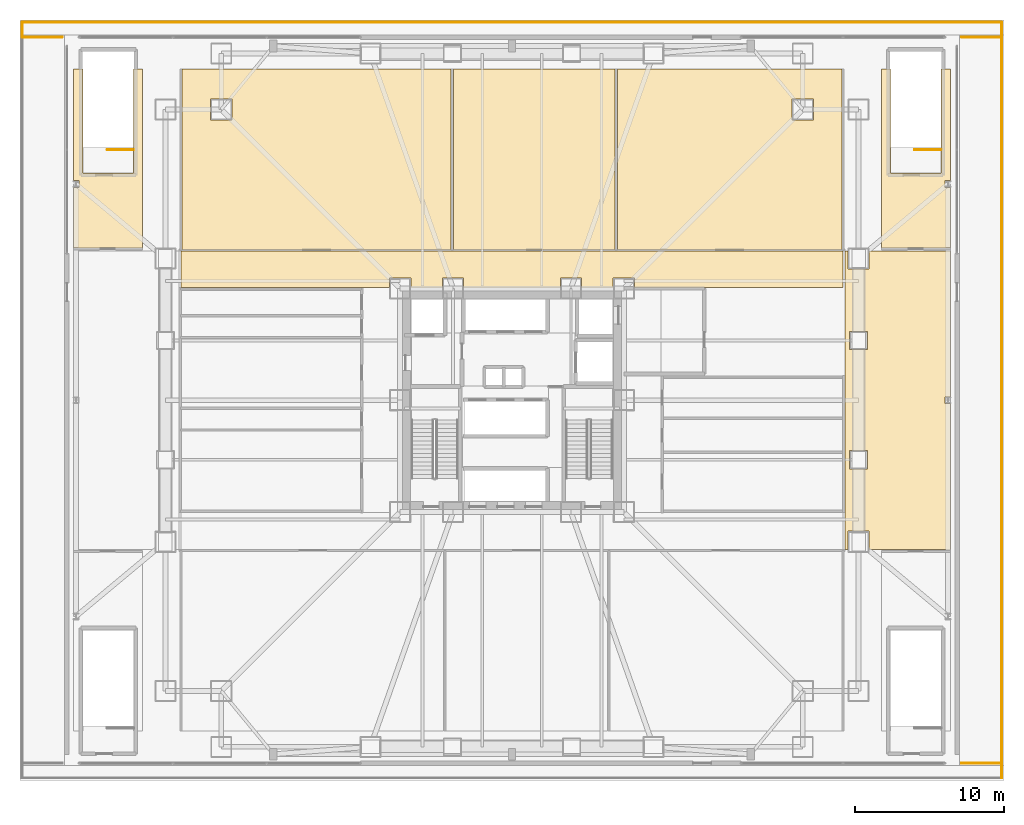
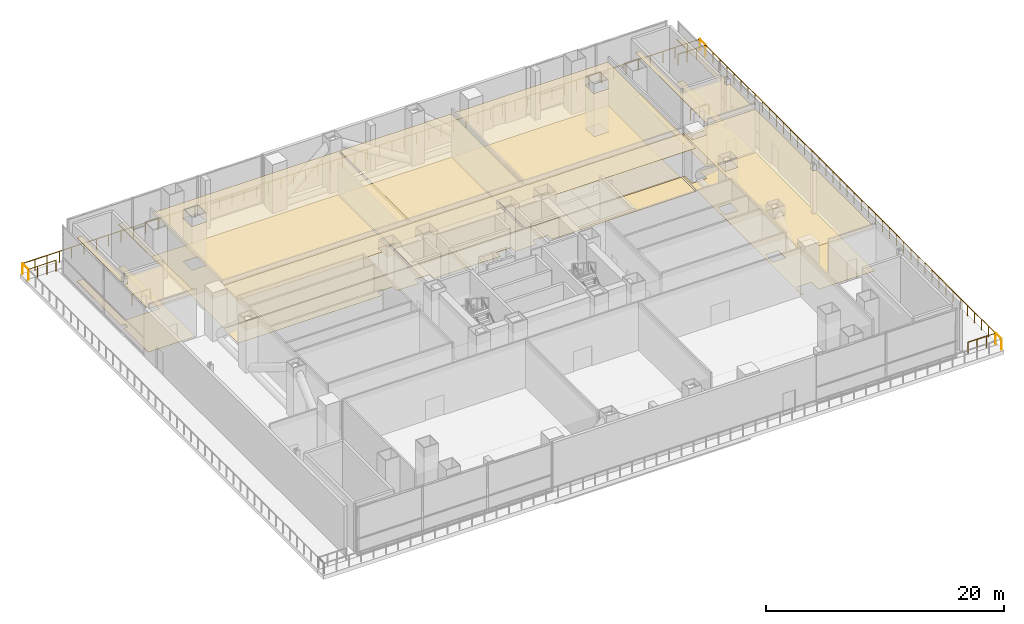
# One storey, part 21 of 21: 14 coverings, 10 railings.
"""IFC4 building model written with IfcOpenShell, lengths in metres."""

from ifc_helpers import new_model, si_unit, direction, frame, origin, origin_2d, place, context, subcontext, project, spatial, polyline, circle, outline, extrude, material, layer, layer_set, type_object, element, save


model = new_model("IFC4")

# Units and contexts
model_context = context("Model", 3, precision=1e-05, world=origin(), true_north=direction((0.0, 1.0)))
body_context = subcontext(model_context, "Body", "Model", "MODEL_VIEW")
ifc_project = project(units=[si_unit("LENGTHUNIT", "METRE"), si_unit("AREAUNIT", "SQUARE_METRE"), si_unit("VOLUMEUNIT", "CUBIC_METRE"), si_unit("PLANEANGLEUNIT", "RADIAN"), si_unit("MASSUNIT", "GRAM", prefix="KILO")], contexts=[model_context])

# Site, building, storey
site_placement = place(None, origin())
site = spatial("IfcSite", under=ifc_project, at=site_placement, CompositionType="ELEMENT")
building_placement = place(site_placement, origin())
building = spatial("IfcBuilding", under=site, at=building_placement, Name="Trevonay Congress Spire", CompositionType="ELEMENT")
storey_placement = place(building_placement, frame((0.0, 0.0, 21.60009765625)))
storey = spatial("IfcBuildingStorey", under=building, at=storey_placement, Name="L04", CompositionType="ELEMENT", Elevation=21.60009765625)

# Coverings
ifc_material_1 = material(Name="Acoustic Mineral Fibre Board", Category="gypsum")
ifc_layer_1 = layer(ifc_material_1, 0.02490234375, Name="Acoustic Mineral Fibre Board")
ifc_layer_set_1 = layer_set([ifc_layer_1], Name="Acoustic Mineral Fibre Board")
covering_type_1 = type_object("IfcCoveringType", Name="COV-CEIL-ACOUSTIC", PredefinedType="CEILING", material=ifc_layer_set_1)
covering_1_placement = place(storey_placement, frame((0.0, 0.0, 4.449951171875)))
element("IfcCovering", 1, at=covering_1_placement, inside=storey, type_object=covering_type_1, Name="L04 L04 Grand Concourse North acoustic suspended ceiling", PredefinedType="CEILING", context=body_context, shape_type="SweptSolid", body=[
    extrude(outline(polyline([(-22.199951171875, 7.550048828125), (-22.199951171875, 10.0), (22.199951171875, 10.0), (22.199951171875, 7.550048828125), (8.2099609375, 7.550048828125), (8.2099609375, 8.2099609375), (6.7900390625, 8.2099609375), (6.7900390625, 7.550048828125), (4.659912109375, 7.550048828125), (4.659912109375, 8.2099609375), (3.239990234375, 8.2099609375), (3.239990234375, 7.550048828125), (-3.239990234375, 7.550048828125), (-3.239990234375, 8.2099609375), (-4.659912109375, 8.2099609375), (-4.659912109375, 7.550048828125), (-6.7900390625, 7.550048828125), (-6.7900390625, 8.2099609375), (-8.2099609375, 8.2099609375), (-8.2099609375, 7.550048828125), (-22.199951171875, 7.550048828125)])), origin(), (0.0, 0.0, 1.0), 0.02490234375),
])
covering_2_placement = place(storey_placement, frame((0.0, 0.0, 4.449951171875)))
element("IfcCovering", 2, at=covering_2_placement, inside=storey, type_object=covering_type_1, Name="L04 International Media Briefing Room acoustic suspended ceiling", PredefinedType="CEILING", context=body_context, shape_type="SweptSolid", body=[
    extrude(outline(polyline([(-22.1201171875, 22.199951171875), (-4.080078125, 22.199951171875), (-4.080078125, 10.080078125), (-22.1201171875, 10.080078125), (-22.1201171875, 22.199951171875)]), holes=[polyline([(-18.7900390625, 18.7900390625), (-18.7900390625, 20.2099609375), (-20.2099609375, 20.2099609375), (-20.2099609375, 18.7900390625), (-18.7900390625, 18.7900390625)])]), origin(), (0.0, 0.0, 1.0), 0.02490234375),
])
covering_3_placement = place(storey_placement, frame((0.0, 0.0, 4.449951171875)))
element("IfcCovering", 3, at=covering_3_placement, inside=storey, type_object=covering_type_1, Name="L04 Press Filing Studio acoustic suspended ceiling", PredefinedType="CEILING", context=body_context, shape_type="SweptSolid", body=[
    extrude(outline(polyline([(-3.919921875, 10.080078125), (6.919921875, 10.080078125), (6.919921875, 22.199951171875), (-3.919921875, 22.199951171875), (-3.919921875, 10.080078125)])), origin(), (0.0, 0.0, 1.0), 0.02490234375),
])
covering_4_placement = place(storey_placement, frame((0.0, 0.0, 4.449951171875)))
element("IfcCovering", 4, at=covering_4_placement, inside=storey, type_object=covering_type_1, Name="L04 Broadcast Interview Room acoustic suspended ceiling", PredefinedType="CEILING", context=body_context, shape_type="SweptSolid", body=[
    extrude(outline(polyline([(7.080078125, 22.199951171875), (22.1201171875, 22.199951171875), (22.1201171875, 10.080078125), (7.080078125, 10.080078125), (7.080078125, 22.199951171875)]), holes=[polyline([(20.2099609375, 18.7900390625), (20.2099609375, 20.2099609375), (18.7900390625, 20.2099609375), (18.7900390625, 18.7900390625), (20.2099609375, 18.7900390625)])]), origin(), (0.0, 0.0, 1.0), 0.02490234375),
])
covering_5_placement = place(storey_placement, frame((0.0, 0.0, 4.449951171875)))
element("IfcCovering", 5, at=covering_5_placement, inside=storey, type_object=covering_type_1, Name="L04 West Terrace Seminar Suite 2 acoustic suspended ceiling", PredefinedType="CEILING", context=body_context, shape_type="SweptSolid", body=[
    extrude(outline(polyline([(-28.760009765625, 22.199951171875), (-28.760009765625, 15.239990234375), (-25.389892578125, 15.239990234375), (-25.389892578125, 22.199951171875), (-24.800048828125, 22.199951171875), (-24.800048828125, 10.199951171875), (-29.39990234375, 10.199951171875), (-29.39990234375, 14.277587890625), (-29.055908203125, 14.277587890625), (-29.055908203125, 14.722412109375), (-29.39990234375, 14.722412109375), (-29.39990234375, 22.199951171875), (-28.760009765625, 22.199951171875)])), origin(), (0.0, 0.0, 1.0), 0.02490234375),
])
covering_6_placement = place(storey_placement, frame((0.0, 0.0, 4.449951171875)))
element("IfcCovering", 6, at=covering_6_placement, inside=storey, type_object=covering_type_1, Name="L04 East Terrace Boardroom acoustic suspended ceiling", PredefinedType="CEILING", context=body_context, shape_type="SweptSolid", body=[
    extrude(outline(polyline([(24.800048828125, 10.199951171875), (24.800048828125, 22.199951171875), (25.389892578125, 22.199951171875), (25.389892578125, 15.239990234375), (28.760009765625, 15.239990234375), (28.760009765625, 22.199951171875), (29.39990234375, 22.199951171875), (29.39990234375, 14.722412109375), (29.055908203125, 14.722412109375), (29.055908203125, 14.277587890625), (29.39990234375, 14.277587890625), (29.39990234375, 10.199951171875), (24.800048828125, 10.199951171875)])), origin(), (0.0, 0.0, 1.0), 0.02490234375),
])
covering_7_placement = place(storey_placement, frame((0.0, 0.0, 4.449951171875)))
element("IfcCovering", 7, at=covering_7_placement, inside=storey, type_object=covering_type_1, Name="L04 L04 East Gallery Link acoustic suspended ceiling", PredefinedType="CEILING", context=body_context, shape_type="SweptSolid", body=[
    extrude(outline(polyline([(22.35009765625, -10.0), (22.35009765625, 10.0), (22.5400390625, 10.0), (22.5400390625, 8.7900390625), (23.9599609375, 8.7900390625), (23.9599609375, 10.0), (29.39990234375, 10.0), (29.39990234375, 0.222412109375), (29.055908203125, 0.222412109375), (29.055908203125, -0.222412109375), (29.39990234375, -0.222412109375), (29.39990234375, -10.0), (23.9599609375, -10.0), (23.9599609375, -8.7900390625), (22.5400390625, -8.7900390625), (22.5400390625, -10.0), (22.35009765625, -10.0)]), holes=[polyline([(22.639892578125, -3.389892578125), (22.639892578125, -4.610107421875), (23.860107421875, -4.610107421875), (23.860107421875, -3.389892578125), (22.639892578125, -3.389892578125)]), polyline([(23.860107421875, 4.610107421875), (22.639892578125, 4.610107421875), (22.639892578125, 3.389892578125), (23.860107421875, 3.389892578125), (23.860107421875, 4.610107421875)])]), origin(), (0.0, 0.0, 1.0), 0.02490234375),
])
ifc_material_2 = material(Name="Polished Granite Floor Tile", Category="masonry")
ifc_layer_2 = layer(ifc_material_2, 0.02001953125, Name="Polished Granite Floor Tile")
ifc_layer_set_2 = layer_set([ifc_layer_2], Name="Polished Granite Floor Tile")
covering_type_2 = type_object("IfcCoveringType", Name="COV-FLOOR-STONE", PredefinedType="FLOORING", material=ifc_layer_set_2)
covering_8_placement = place(storey_placement, origin())
element("IfcCovering", 8, at=covering_8_placement, inside=storey, type_object=covering_type_2, Name="L04 L04 Grand Concourse North floor finish", PredefinedType="FLOORING", context=body_context, shape_type="SweptSolid", body=[
    extrude(outline(polyline([(-22.199951171875, 7.550048828125), (-22.199951171875, 10.0), (22.199951171875, 10.0), (22.199951171875, 7.550048828125), (8.2099609375, 7.550048828125), (8.2099609375, 8.2099609375), (6.7900390625, 8.2099609375), (6.7900390625, 7.550048828125), (4.659912109375, 7.550048828125), (4.659912109375, 8.2099609375), (3.239990234375, 8.2099609375), (3.239990234375, 7.550048828125), (-3.239990234375, 7.550048828125), (-3.239990234375, 8.2099609375), (-4.659912109375, 8.2099609375), (-4.659912109375, 7.550048828125), (-6.7900390625, 7.550048828125), (-6.7900390625, 8.2099609375), (-8.2099609375, 8.2099609375), (-8.2099609375, 7.550048828125), (-22.199951171875, 7.550048828125)])), origin(), (0.0, 0.0, 1.0), 0.02001953125),
])
covering_9_placement = place(storey_placement, origin())
element("IfcCovering", 9, at=covering_9_placement, inside=storey, type_object=covering_type_2, Name="L04 L04 East Gallery Link floor finish", PredefinedType="FLOORING", context=body_context, shape_type="SweptSolid", body=[
    extrude(outline(polyline([(22.35009765625, -10.0), (22.35009765625, 10.0), (22.5400390625, 10.0), (22.5400390625, 8.7900390625), (23.9599609375, 8.7900390625), (23.9599609375, 10.0), (29.39990234375, 10.0), (29.39990234375, 0.222412109375), (29.055908203125, 0.222412109375), (29.055908203125, -0.222412109375), (29.39990234375, -0.222412109375), (29.39990234375, -10.0), (23.9599609375, -10.0), (23.9599609375, -8.7900390625), (22.5400390625, -8.7900390625), (22.5400390625, -10.0), (22.35009765625, -10.0)]), holes=[polyline([(22.639892578125, -3.389892578125), (22.639892578125, -4.610107421875), (23.860107421875, -4.610107421875), (23.860107421875, -3.389892578125), (22.639892578125, -3.389892578125)]), polyline([(23.860107421875, 4.610107421875), (22.639892578125, 4.610107421875), (22.639892578125, 3.389892578125), (23.860107421875, 3.389892578125), (23.860107421875, 4.610107421875)])]), origin(), (0.0, 0.0, 1.0), 0.02001953125),
])
ifc_material_3 = material(Name="Engineered Oak Flooring", Category="wood")
ifc_layer_3 = layer(ifc_material_3, 0.01806640625, Name="Engineered Oak Flooring")
ifc_layer_set_3 = layer_set([ifc_layer_3], Name="Engineered Oak Flooring")
covering_type_3 = type_object("IfcCoveringType", Name="COV-FLOOR-TIMBER", PredefinedType="FLOORING", material=ifc_layer_set_3)
covering_10_placement = place(storey_placement, origin())
element("IfcCovering", 10, at=covering_10_placement, inside=storey, type_object=covering_type_3, Name="L04 International Media Briefing Room floor finish", PredefinedType="FLOORING", context=body_context, shape_type="SweptSolid", body=[
    extrude(outline(polyline([(-22.1201171875, 22.199951171875), (-4.080078125, 22.199951171875), (-4.080078125, 10.080078125), (-22.1201171875, 10.080078125), (-22.1201171875, 22.199951171875)]), holes=[polyline([(-18.7900390625, 18.7900390625), (-18.7900390625, 20.2099609375), (-20.2099609375, 20.2099609375), (-20.2099609375, 18.7900390625), (-18.7900390625, 18.7900390625)])]), origin(), (0.0, 0.0, 1.0), 0.017822265625),
])
covering_11_placement = place(storey_placement, origin())
element("IfcCovering", 11, at=covering_11_placement, inside=storey, type_object=covering_type_3, Name="L04 Press Filing Studio floor finish", PredefinedType="FLOORING", context=body_context, shape_type="SweptSolid", body=[
    extrude(outline(polyline([(-3.919921875, 10.080078125), (6.919921875, 10.080078125), (6.919921875, 22.199951171875), (-3.919921875, 22.199951171875), (-3.919921875, 10.080078125)])), origin(), (0.0, 0.0, 1.0), 0.017822265625),
])
covering_12_placement = place(storey_placement, origin())
element("IfcCovering", 12, at=covering_12_placement, inside=storey, type_object=covering_type_3, Name="L04 Broadcast Interview Room floor finish", PredefinedType="FLOORING", context=body_context, shape_type="SweptSolid", body=[
    extrude(outline(polyline([(7.080078125, 22.199951171875), (22.1201171875, 22.199951171875), (22.1201171875, 10.080078125), (7.080078125, 10.080078125), (7.080078125, 22.199951171875)]), holes=[polyline([(20.2099609375, 18.7900390625), (20.2099609375, 20.2099609375), (18.7900390625, 20.2099609375), (18.7900390625, 18.7900390625), (20.2099609375, 18.7900390625)])]), origin(), (0.0, 0.0, 1.0), 0.017822265625),
])
covering_13_placement = place(storey_placement, origin())
element("IfcCovering", 13, at=covering_13_placement, inside=storey, type_object=covering_type_3, Name="L04 West Terrace Seminar Suite 2 floor finish", PredefinedType="FLOORING", context=body_context, shape_type="SweptSolid", body=[
    extrude(outline(polyline([(-28.760009765625, 22.199951171875), (-28.760009765625, 15.239990234375), (-25.389892578125, 15.239990234375), (-25.389892578125, 22.199951171875), (-24.800048828125, 22.199951171875), (-24.800048828125, 10.199951171875), (-29.39990234375, 10.199951171875), (-29.39990234375, 14.277587890625), (-29.055908203125, 14.277587890625), (-29.055908203125, 14.722412109375), (-29.39990234375, 14.722412109375), (-29.39990234375, 22.199951171875), (-28.760009765625, 22.199951171875)])), origin(), (0.0, 0.0, 1.0), 0.017822265625),
])
covering_14_placement = place(storey_placement, origin())
element("IfcCovering", 14, at=covering_14_placement, inside=storey, type_object=covering_type_3, Name="L04 East Terrace Boardroom floor finish", PredefinedType="FLOORING", context=body_context, shape_type="SweptSolid", body=[
    extrude(outline(polyline([(24.800048828125, 10.199951171875), (24.800048828125, 22.199951171875), (25.389892578125, 22.199951171875), (25.389892578125, 15.239990234375), (28.760009765625, 15.239990234375), (28.760009765625, 22.199951171875), (29.39990234375, 22.199951171875), (29.39990234375, 14.722412109375), (29.055908203125, 14.722412109375), (29.055908203125, 14.277587890625), (29.39990234375, 14.277587890625), (29.39990234375, 10.199951171875), (24.800048828125, 10.199951171875)])), origin(), (0.0, 0.0, 1.0), 0.017822265625),
])

# Railings
ifc_material_4 = material(Name="Pale Anodised Aluminium EN AW-6063-T6", Category="aluminium")
railing_type_1 = type_object("IfcRailingType", Name="RAL-EXT-GUARD-115", PredefinedType="GUARDRAIL", material=ifc_material_4)
railing_1_placement = place(storey_placement, frame((-30.14990234375, 24.35009765625, 0.0)))
element("IfcRailing", 15, at=railing_1_placement, inside=storey, type_object=railing_type_1, Name="L04 perimeter safety guard GRD-L04-TER-W-3", PredefinedType="GUARDRAIL", context=body_context, shape_type="SweptSolid", body=[
    extrude(circle(Radius=0.02392578125, at=origin_2d()), frame((0.0, 0.0, 1.1259765625), z_axis=(-1.0, 0.0, 0.0), x_axis=(0.0, -1.0, 0.0)), (0.0, 0.0, 1.0), 2.7001953125),
    extrude(circle(Radius=0.02099609375, at=origin_2d()), origin(), (0.0, 0.0, 1.0), 1.101806640625),
    extrude(circle(Radius=0.02099609375, at=origin_2d()), frame((-0.900146484375, 0.0, 0.0)), (0.0, 0.0, 1.0), 1.101806640625),
    extrude(circle(Radius=0.02099609375, at=origin_2d()), frame((-1.800048828125, 0.0, 0.0)), (0.0, 0.0, 1.0), 1.101806640625),
    extrude(circle(Radius=0.02099609375, at=origin_2d()), frame((-2.7001953125, 0.0, 0.0)), (0.0, 0.0, 1.0), 1.101806640625),
])
railing_2_placement = place(storey_placement, frame((30.14990234375, -24.35009765625, 0.0)))
element("IfcRailing", 16, at=railing_2_placement, inside=storey, type_object=railing_type_1, Name="L04 perimeter safety guard GRD-L04-TER-E-1", PredefinedType="GUARDRAIL", context=body_context, shape_type="SweptSolid", body=[
    extrude(circle(Radius=0.02392578125, at=origin_2d()), frame((0.0, 0.0, 1.1259765625), z_axis=(1.0, 0.0, 0.0), x_axis=(0.0, 1.0, 0.0)), (0.0, 0.0, 1.0), 2.7001953125),
    extrude(circle(Radius=0.02099609375, at=origin_2d()), origin(), (0.0, 0.0, 1.0), 1.101806640625),
    extrude(circle(Radius=0.02099609375, at=origin_2d()), frame((0.900146484375, 0.0, 0.0)), (0.0, 0.0, 1.0), 1.101806640625),
    extrude(circle(Radius=0.02099609375, at=origin_2d()), frame((1.800048828125, 0.0, 0.0)), (0.0, 0.0, 1.0), 1.101806640625),
    extrude(circle(Radius=0.02099609375, at=origin_2d()), frame((2.7001953125, 0.0, 0.0)), (0.0, 0.0, 1.0), 1.101806640625),
])
railing_3_placement = place(storey_placement, frame((32.85009765625, -24.35009765625, 0.0)))
element("IfcRailing", 17, at=railing_3_placement, inside=storey, type_object=railing_type_1, Name="L04 perimeter safety guard GRD-L04-TER-E-2", PredefinedType="GUARDRAIL", context=body_context, shape_type="SweptSolid", body=[
    extrude(circle(Radius=0.02392578125, at=origin_2d()), frame((0.0, 0.0, 1.1259765625), z_axis=(0.0, 1.0, 0.0), x_axis=(-1.0, 0.0, 0.0)), (0.0, 0.0, 1.0), 48.7001953125),
    extrude(circle(Radius=0.02099609375, at=origin_2d()), origin(), (0.0, 0.0, 1.0), 1.101806640625),
    extrude(circle(Radius=0.02099609375, at=origin_2d()), frame((0.0, 1.187744140625, 0.0)), (0.0, 0.0, 1.0), 1.101806640625),
    extrude(circle(Radius=0.02099609375, at=origin_2d()), frame((0.0, 2.375732421875, 0.0)), (0.0, 0.0, 1.0), 1.101806640625),
    extrude(circle(Radius=0.02099609375, at=origin_2d()), frame((0.0, 3.5634765625, 0.0)), (0.0, 0.0, 1.0), 1.101806640625),
    extrude(circle(Radius=0.02099609375, at=origin_2d()), frame((0.0, 4.751220703125, 0.0)), (0.0, 0.0, 1.0), 1.101806640625),
    extrude(circle(Radius=0.02099609375, at=origin_2d()), frame((0.0, 5.93896484375, 0.0)), (0.0, 0.0, 1.0), 1.101806640625),
    extrude(circle(Radius=0.02099609375, at=origin_2d()), frame((0.0, 7.126953125, 0.0)), (0.0, 0.0, 1.0), 1.101806640625),
    extrude(circle(Radius=0.02099609375, at=origin_2d()), frame((0.0, 8.314697265625, 0.0)), (0.0, 0.0, 1.0), 1.101806640625),
    extrude(circle(Radius=0.02099609375, at=origin_2d()), frame((0.0, 9.50244140625, 0.0)), (0.0, 0.0, 1.0), 1.101806640625),
    extrude(circle(Radius=0.02099609375, at=origin_2d()), frame((0.0, 10.690185546875, 0.0)), (0.0, 0.0, 1.0), 1.101806640625),
    extrude(circle(Radius=0.02099609375, at=origin_2d()), frame((0.0, 11.878173828125, 0.0)), (0.0, 0.0, 1.0), 1.101806640625),
    extrude(circle(Radius=0.02099609375, at=origin_2d()), frame((0.0, 13.06591796875, 0.0)), (0.0, 0.0, 1.0), 1.101806640625),
    extrude(circle(Radius=0.02099609375, at=origin_2d()), frame((0.0, 14.253662109375, 0.0)), (0.0, 0.0, 1.0), 1.101806640625),
    extrude(circle(Radius=0.02099609375, at=origin_2d()), frame((0.0, 15.44140625, 0.0)), (0.0, 0.0, 1.0), 1.101806640625),
    extrude(circle(Radius=0.02099609375, at=origin_2d()), frame((0.0, 16.62939453125, 0.0)), (0.0, 0.0, 1.0), 1.101806640625),
    extrude(circle(Radius=0.02099609375, at=origin_2d()), frame((0.0, 17.817138671875, 0.0)), (0.0, 0.0, 1.0), 1.101806640625),
    extrude(circle(Radius=0.02099609375, at=origin_2d()), frame((0.0, 19.0048828125, 0.0)), (0.0, 0.0, 1.0), 1.101806640625),
    extrude(circle(Radius=0.02099609375, at=origin_2d()), frame((0.0, 20.19287109375, 0.0)), (0.0, 0.0, 1.0), 1.101806640625),
    extrude(circle(Radius=0.02099609375, at=origin_2d()), frame((0.0, 21.380615234375, 0.0)), (0.0, 0.0, 1.0), 1.101806640625),
    extrude(circle(Radius=0.02099609375, at=origin_2d()), frame((0.0, 22.568359375, 0.0)), (0.0, 0.0, 1.0), 1.101806640625),
    extrude(circle(Radius=0.02099609375, at=origin_2d()), frame((0.0, 23.756103515625, 0.0)), (0.0, 0.0, 1.0), 1.101806640625),
    extrude(circle(Radius=0.02099609375, at=origin_2d()), frame((0.0, 24.944091796875, 0.0)), (0.0, 0.0, 1.0), 1.101806640625),
    extrude(circle(Radius=0.02099609375, at=origin_2d()), frame((0.0, 26.1318359375, 0.0)), (0.0, 0.0, 1.0), 1.101806640625),
    extrude(circle(Radius=0.02099609375, at=origin_2d()), frame((0.0, 27.319580078125, 0.0)), (0.0, 0.0, 1.0), 1.101806640625),
    extrude(circle(Radius=0.02099609375, at=origin_2d()), frame((0.0, 28.50732421875, 0.0)), (0.0, 0.0, 1.0), 1.101806640625),
    extrude(circle(Radius=0.02099609375, at=origin_2d()), frame((0.0, 29.6953125, 0.0)), (0.0, 0.0, 1.0), 1.101806640625),
    extrude(circle(Radius=0.02099609375, at=origin_2d()), frame((0.0, 30.883056640625, 0.0)), (0.0, 0.0, 1.0), 1.101806640625),
    extrude(circle(Radius=0.02099609375, at=origin_2d()), frame((0.0, 32.07080078125, 0.0)), (0.0, 0.0, 1.0), 1.101806640625),
    extrude(circle(Radius=0.02099609375, at=origin_2d()), frame((0.0, 33.2587890625, 0.0)), (0.0, 0.0, 1.0), 1.101806640625),
    extrude(circle(Radius=0.02099609375, at=origin_2d()), frame((0.0, 34.446533203125, 0.0)), (0.0, 0.0, 1.0), 1.101806640625),
    extrude(circle(Radius=0.02099609375, at=origin_2d()), frame((0.0, 35.63427734375, 0.0)), (0.0, 0.0, 1.0), 1.101806640625),
    extrude(circle(Radius=0.02099609375, at=origin_2d()), frame((0.0, 36.822021484375, 0.0)), (0.0, 0.0, 1.0), 1.101806640625),
    extrude(circle(Radius=0.02099609375, at=origin_2d()), frame((0.0, 38.010009765625, 0.0)), (0.0, 0.0, 1.0), 1.101806640625),
    extrude(circle(Radius=0.02099609375, at=origin_2d()), frame((0.0, 39.19775390625, 0.0)), (0.0, 0.0, 1.0), 1.101806640625),
    extrude(circle(Radius=0.02099609375, at=origin_2d()), frame((0.0, 40.385498046875, 0.0)), (0.0, 0.0, 1.0), 1.101806640625),
    extrude(circle(Radius=0.02099609375, at=origin_2d()), frame((0.0, 41.5732421875, 0.0)), (0.0, 0.0, 1.0), 1.101806640625),
    extrude(circle(Radius=0.02099609375, at=origin_2d()), frame((0.0, 42.76123046875, 0.0)), (0.0, 0.0, 1.0), 1.101806640625),
    extrude(circle(Radius=0.02099609375, at=origin_2d()), frame((0.0, 43.948974609375, 0.0)), (0.0, 0.0, 1.0), 1.101806640625),
    extrude(circle(Radius=0.02099609375, at=origin_2d()), frame((0.0, 45.13671875, 0.0)), (0.0, 0.0, 1.0), 1.101806640625),
    extrude(circle(Radius=0.02099609375, at=origin_2d()), frame((0.0, 46.324462890625, 0.0)), (0.0, 0.0, 1.0), 1.101806640625),
    extrude(circle(Radius=0.02099609375, at=origin_2d()), frame((0.0, 47.512451171875, 0.0)), (0.0, 0.0, 1.0), 1.101806640625),
    extrude(circle(Radius=0.02099609375, at=origin_2d()), frame((0.0, 48.7001953125, 0.0)), (0.0, 0.0, 1.0), 1.101806640625),
])
railing_4_placement = place(storey_placement, frame((32.85009765625, 24.35009765625, 0.0)))
element("IfcRailing", 18, at=railing_4_placement, inside=storey, type_object=railing_type_1, Name="L04 perimeter safety guard GRD-L04-TER-E-3", PredefinedType="GUARDRAIL", context=body_context, shape_type="SweptSolid", body=[
    extrude(circle(Radius=0.02392578125, at=origin_2d()), frame((0.0, 0.0, 1.1259765625), z_axis=(-1.0, 0.0, 0.0), x_axis=(0.0, -1.0, 0.0)), (0.0, 0.0, 1.0), 2.7001953125),
    extrude(circle(Radius=0.02099609375, at=origin_2d()), origin(), (0.0, 0.0, 1.0), 1.101806640625),
    extrude(circle(Radius=0.02099609375, at=origin_2d()), frame((-0.900146484375, 0.0, 0.0)), (0.0, 0.0, 1.0), 1.101806640625),
    extrude(circle(Radius=0.02099609375, at=origin_2d()), frame((-1.800048828125, 0.0, 0.0)), (0.0, 0.0, 1.0), 1.101806640625),
    extrude(circle(Radius=0.02099609375, at=origin_2d()), frame((-2.7001953125, 0.0, 0.0)), (0.0, 0.0, 1.0), 1.101806640625),
])
for number, where, name in (
    (19, (32.85009765625, -25.35009765625, 0.0), "L04 perimeter safety guard GRD-L04-TER-S-3"),
    (20, (-32.85009765625, 24.35009765625, 0.0), "L04 perimeter safety guard GRD-L04-TER-N-1"),
):
    element("IfcRailing", number, at=place(storey_placement, frame(where)), inside=storey, type_object=railing_type_1, Name=name, PredefinedType="GUARDRAIL", context=body_context, shape_type="SweptSolid", body=[
        extrude(circle(Radius=0.02392578125, at=origin_2d()), frame((0.0, 0.0, 1.1259765625), z_axis=(0.0, 1.0, 0.0), x_axis=(-1.0, 0.0, 0.0)), (0.0, 0.0, 1.0), 1.0),
        extrude(circle(Radius=0.02099609375, at=origin_2d()), origin(), (0.0, 0.0, 1.0), 1.101806640625),
        extrude(circle(Radius=0.02099609375, at=origin_2d()), frame((0.0, 1.0, 0.0)), (0.0, 0.0, 1.0), 1.101806640625),
    ])
railing_5_placement = place(storey_placement, frame((-32.85009765625, 25.35009765625, 0.0)))
element("IfcRailing", 21, at=railing_5_placement, inside=storey, type_object=railing_type_1, Name="L04 perimeter safety guard GRD-L04-TER-N-2", PredefinedType="GUARDRAIL", context=body_context, shape_type="SweptSolid", body=[
    extrude(circle(Radius=0.02392578125, at=origin_2d()), frame((0.0, 0.0, 1.1259765625), z_axis=(1.0, 0.0, 0.0), x_axis=(0.0, 1.0, 0.0)), (0.0, 0.0, 1.0), 65.7001953125),
    extrude(circle(Radius=0.02099609375, at=origin_2d()), origin(), (0.0, 0.0, 1.0), 1.101806640625),
    extrude(circle(Radius=0.02099609375, at=origin_2d()), frame((1.194580078125, 0.0, 0.0)), (0.0, 0.0, 1.0), 1.101806640625),
    extrude(circle(Radius=0.02099609375, at=origin_2d()), frame((2.38916015625, 0.0, 0.0)), (0.0, 0.0, 1.0), 1.101806640625),
    extrude(circle(Radius=0.02099609375, at=origin_2d()), frame((3.583740234375, 0.0, 0.0)), (0.0, 0.0, 1.0), 1.101806640625),
    extrude(circle(Radius=0.02099609375, at=origin_2d()), frame((4.778076171875, 0.0, 0.0)), (0.0, 0.0, 1.0), 1.101806640625),
    extrude(circle(Radius=0.02099609375, at=origin_2d()), frame((5.97265625, 0.0, 0.0)), (0.0, 0.0, 1.0), 1.101806640625),
    extrude(circle(Radius=0.02099609375, at=origin_2d()), frame((7.167236328125, 0.0, 0.0)), (0.0, 0.0, 1.0), 1.101806640625),
    extrude(circle(Radius=0.02099609375, at=origin_2d()), frame((8.36181640625, 0.0, 0.0)), (0.0, 0.0, 1.0), 1.101806640625),
    extrude(circle(Radius=0.02099609375, at=origin_2d()), frame((9.556396484375, 0.0, 0.0)), (0.0, 0.0, 1.0), 1.101806640625),
    extrude(circle(Radius=0.02099609375, at=origin_2d()), frame((10.7509765625, 0.0, 0.0)), (0.0, 0.0, 1.0), 1.101806640625),
    extrude(circle(Radius=0.02099609375, at=origin_2d()), frame((11.945556640625, 0.0, 0.0)), (0.0, 0.0, 1.0), 1.101806640625),
    extrude(circle(Radius=0.02099609375, at=origin_2d()), frame((13.14013671875, 0.0, 0.0)), (0.0, 0.0, 1.0), 1.101806640625),
    extrude(circle(Radius=0.02099609375, at=origin_2d()), frame((14.33447265625, 0.0, 0.0)), (0.0, 0.0, 1.0), 1.101806640625),
    extrude(circle(Radius=0.02099609375, at=origin_2d()), frame((15.529052734375, 0.0, 0.0)), (0.0, 0.0, 1.0), 1.101806640625),
    extrude(circle(Radius=0.02099609375, at=origin_2d()), frame((16.7236328125, 0.0, 0.0)), (0.0, 0.0, 1.0), 1.101806640625),
    extrude(circle(Radius=0.02099609375, at=origin_2d()), frame((17.918212890625, 0.0, 0.0)), (0.0, 0.0, 1.0), 1.101806640625),
    extrude(circle(Radius=0.02099609375, at=origin_2d()), frame((19.11279296875, 0.0, 0.0)), (0.0, 0.0, 1.0), 1.101806640625),
    extrude(circle(Radius=0.02099609375, at=origin_2d()), frame((20.307373046875, 0.0, 0.0)), (0.0, 0.0, 1.0), 1.101806640625),
    extrude(circle(Radius=0.02099609375, at=origin_2d()), frame((21.501953125, 0.0, 0.0)), (0.0, 0.0, 1.0), 1.101806640625),
    extrude(circle(Radius=0.02099609375, at=origin_2d()), frame((22.696533203125, 0.0, 0.0)), (0.0, 0.0, 1.0), 1.101806640625),
    extrude(circle(Radius=0.02099609375, at=origin_2d()), frame((23.890869140625, 0.0, 0.0)), (0.0, 0.0, 1.0), 1.101806640625),
    extrude(circle(Radius=0.02099609375, at=origin_2d()), frame((25.08544921875, 0.0, 0.0)), (0.0, 0.0, 1.0), 1.101806640625),
    extrude(circle(Radius=0.02099609375, at=origin_2d()), frame((26.280029296875, 0.0, 0.0)), (0.0, 0.0, 1.0), 1.101806640625),
    extrude(circle(Radius=0.02099609375, at=origin_2d()), frame((27.474609375, 0.0, 0.0)), (0.0, 0.0, 1.0), 1.101806640625),
    extrude(circle(Radius=0.02099609375, at=origin_2d()), frame((28.669189453125, 0.0, 0.0)), (0.0, 0.0, 1.0), 1.101806640625),
    extrude(circle(Radius=0.02099609375, at=origin_2d()), frame((29.86376953125, 0.0, 0.0)), (0.0, 0.0, 1.0), 1.101806640625),
    extrude(circle(Radius=0.02099609375, at=origin_2d()), frame((31.058349609375, 0.0, 0.0)), (0.0, 0.0, 1.0), 1.101806640625),
    extrude(circle(Radius=0.02099609375, at=origin_2d()), frame((32.2529296875, 0.0, 0.0)), (0.0, 0.0, 1.0), 1.101806640625),
    extrude(circle(Radius=0.02099609375, at=origin_2d()), frame((33.447265625, 0.0, 0.0)), (0.0, 0.0, 1.0), 1.101806640625),
    extrude(circle(Radius=0.02099609375, at=origin_2d()), frame((34.641845703125, 0.0, 0.0)), (0.0, 0.0, 1.0), 1.101806640625),
    extrude(circle(Radius=0.02099609375, at=origin_2d()), frame((35.83642578125, 0.0, 0.0)), (0.0, 0.0, 1.0), 1.101806640625),
    extrude(circle(Radius=0.02099609375, at=origin_2d()), frame((37.031005859375, 0.0, 0.0)), (0.0, 0.0, 1.0), 1.101806640625),
    extrude(circle(Radius=0.02099609375, at=origin_2d()), frame((38.2255859375, 0.0, 0.0)), (0.0, 0.0, 1.0), 1.101806640625),
    extrude(circle(Radius=0.02099609375, at=origin_2d()), frame((39.420166015625, 0.0, 0.0)), (0.0, 0.0, 1.0), 1.101806640625),
    extrude(circle(Radius=0.02099609375, at=origin_2d()), frame((40.61474609375, 0.0, 0.0)), (0.0, 0.0, 1.0), 1.101806640625),
    extrude(circle(Radius=0.02099609375, at=origin_2d()), frame((41.809326171875, 0.0, 0.0)), (0.0, 0.0, 1.0), 1.101806640625),
    extrude(circle(Radius=0.02099609375, at=origin_2d()), frame((43.003662109375, 0.0, 0.0)), (0.0, 0.0, 1.0), 1.101806640625),
    extrude(circle(Radius=0.02099609375, at=origin_2d()), frame((44.1982421875, 0.0, 0.0)), (0.0, 0.0, 1.0), 1.101806640625),
    extrude(circle(Radius=0.02099609375, at=origin_2d()), frame((45.392822265625, 0.0, 0.0)), (0.0, 0.0, 1.0), 1.101806640625),
    extrude(circle(Radius=0.02099609375, at=origin_2d()), frame((46.58740234375, 0.0, 0.0)), (0.0, 0.0, 1.0), 1.101806640625),
    extrude(circle(Radius=0.02099609375, at=origin_2d()), frame((47.781982421875, 0.0, 0.0)), (0.0, 0.0, 1.0), 1.101806640625),
    extrude(circle(Radius=0.02099609375, at=origin_2d()), frame((48.9765625, 0.0, 0.0)), (0.0, 0.0, 1.0), 1.101806640625),
    extrude(circle(Radius=0.02099609375, at=origin_2d()), frame((50.171142578125, 0.0, 0.0)), (0.0, 0.0, 1.0), 1.101806640625),
    extrude(circle(Radius=0.02099609375, at=origin_2d()), frame((51.36572265625, 0.0, 0.0)), (0.0, 0.0, 1.0), 1.101806640625),
    extrude(circle(Radius=0.02099609375, at=origin_2d()), frame((52.56005859375, 0.0, 0.0)), (0.0, 0.0, 1.0), 1.101806640625),
    extrude(circle(Radius=0.02099609375, at=origin_2d()), frame((53.754638671875, 0.0, 0.0)), (0.0, 0.0, 1.0), 1.101806640625),
    extrude(circle(Radius=0.02099609375, at=origin_2d()), frame((54.94921875, 0.0, 0.0)), (0.0, 0.0, 1.0), 1.101806640625),
    extrude(circle(Radius=0.02099609375, at=origin_2d()), frame((56.143798828125, 0.0, 0.0)), (0.0, 0.0, 1.0), 1.101806640625),
    extrude(circle(Radius=0.02099609375, at=origin_2d()), frame((57.33837890625, 0.0, 0.0)), (0.0, 0.0, 1.0), 1.101806640625),
    extrude(circle(Radius=0.02099609375, at=origin_2d()), frame((58.532958984375, 0.0, 0.0)), (0.0, 0.0, 1.0), 1.101806640625),
    extrude(circle(Radius=0.02099609375, at=origin_2d()), frame((59.7275390625, 0.0, 0.0)), (0.0, 0.0, 1.0), 1.101806640625),
    extrude(circle(Radius=0.02099609375, at=origin_2d()), frame((60.922119140625, 0.0, 0.0)), (0.0, 0.0, 1.0), 1.101806640625),
    extrude(circle(Radius=0.02099609375, at=origin_2d()), frame((62.116455078125, 0.0, 0.0)), (0.0, 0.0, 1.0), 1.101806640625),
    extrude(circle(Radius=0.02099609375, at=origin_2d()), frame((63.31103515625, 0.0, 0.0)), (0.0, 0.0, 1.0), 1.101806640625),
    extrude(circle(Radius=0.02099609375, at=origin_2d()), frame((64.505615234375, 0.0, 0.0)), (0.0, 0.0, 1.0), 1.101806640625),
    extrude(circle(Radius=0.02099609375, at=origin_2d()), frame((65.7001953125, 0.0, 0.0)), (0.0, 0.0, 1.0), 1.101806640625),
])
railing_6_placement = place(storey_placement, frame((32.85009765625, 25.35009765625, 0.0)))
element("IfcRailing", 22, at=railing_6_placement, inside=storey, type_object=railing_type_1, Name="L04 perimeter safety guard GRD-L04-TER-N-3", PredefinedType="GUARDRAIL", context=body_context, shape_type="SweptSolid", body=[
    extrude(circle(Radius=0.02392578125, at=origin_2d()), frame((0.0, 0.0, 1.1259765625), z_axis=(0.0, -1.0, 0.0), x_axis=(1.0, 0.0, 0.0)), (0.0, 0.0, 1.0), 1.0),
    extrude(circle(Radius=0.02099609375, at=origin_2d()), origin(), (0.0, 0.0, 1.0), 1.101806640625),
    extrude(circle(Radius=0.02099609375, at=origin_2d()), frame((0.0, -1.0, 0.0)), (0.0, 0.0, 1.0), 1.101806640625),
])
railing_type_2 = type_object("IfcRailingType", Name="RAL-STAIR-GUARD-110", PredefinedType="GUARDRAIL", material=ifc_material_4)
railing_7_placement = place(storey_placement, frame((-25.35009765625, 16.800048828125, 0.0)))
element("IfcRailing", 23, at=railing_7_placement, inside=storey, type_object=railing_type_2, Name="L04 ST-5 top well guard 1", PredefinedType="GUARDRAIL", context=body_context, shape_type="SweptSolid", body=[
    extrude(circle(Radius=0.02392578125, at=origin_2d()), frame((0.0, 0.0, 1.1259765625), z_axis=(-1.0, 0.0, 0.0), x_axis=(0.0, -1.0, 0.0)), (0.0, 0.0, 1.0), 1.7998046875),
    extrude(circle(Radius=0.02099609375, at=origin_2d()), origin(), (0.0, 0.0, 1.0), 1.101806640625),
    extrude(circle(Radius=0.02099609375, at=origin_2d()), frame((-0.89990234375, 0.0, 0.0)), (0.0, 0.0, 1.0), 1.101806640625),
    extrude(circle(Radius=0.02099609375, at=origin_2d()), frame((-1.7998046875, 0.0, 0.0)), (0.0, 0.0, 1.0), 1.101806640625),
])
railing_8_placement = place(storey_placement, frame((28.800048828125, 16.800048828125, 0.0)))
element("IfcRailing", 24, at=railing_8_placement, inside=storey, type_object=railing_type_2, Name="L04 ST-6 top well guard 1", PredefinedType="GUARDRAIL", context=body_context, shape_type="SweptSolid", body=[
    extrude(circle(Radius=0.02392578125, at=origin_2d()), frame((0.0, 0.0, 1.1259765625), z_axis=(-1.0, 0.0, 0.0), x_axis=(0.0, -1.0, 0.0)), (0.0, 0.0, 1.0), 1.800048828125),
    extrude(circle(Radius=0.02099609375, at=origin_2d()), origin(), (0.0, 0.0, 1.0), 1.101806640625),
    extrude(circle(Radius=0.02099609375, at=origin_2d()), frame((-0.89990234375, 0.0, 0.0)), (0.0, 0.0, 1.0), 1.101806640625),
    extrude(circle(Radius=0.02099609375, at=origin_2d()), frame((-1.800048828125, 0.0, 0.0)), (0.0, 0.0, 1.0), 1.101806640625),
])

save(model, "model.ifc")
